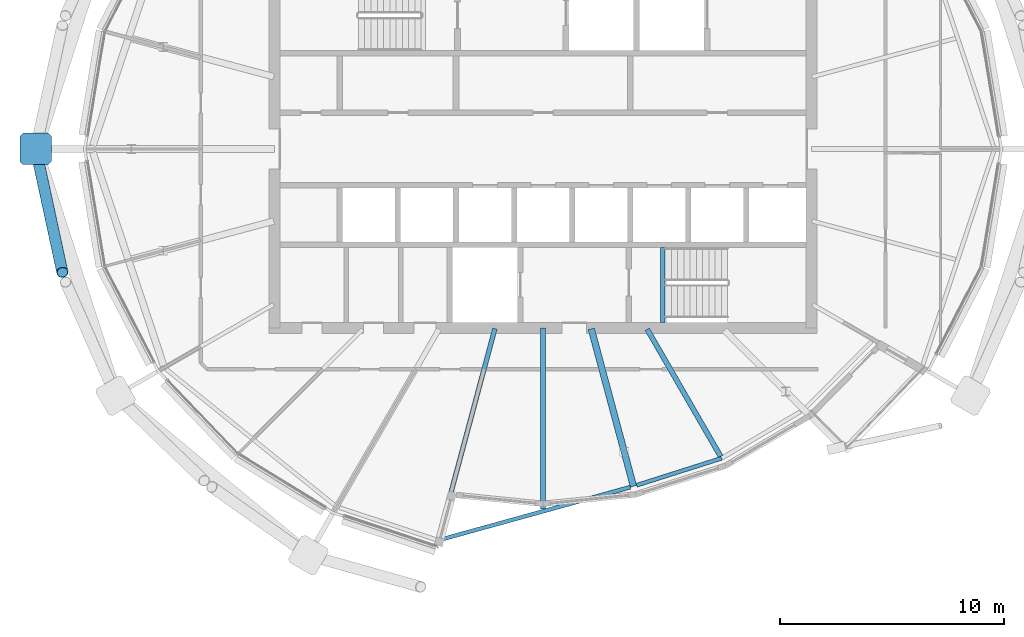
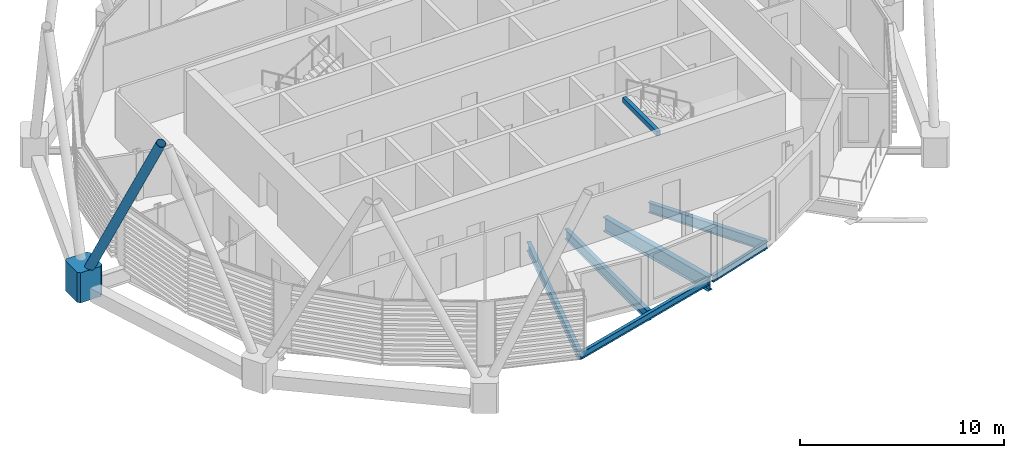
# One storey, part 4 of 32: 7 beams, 2 members.
"""IFC4 building model written with IfcOpenShell, lengths in metres."""

from ifc_helpers import new_model, si_unit, direction, frame, origin, origin_2d, place, context, subcontext, project, spatial, polyline, hollow_rectangle, hollow_circle, i_section, outline, extrude, material, material_profile, profile_set, type_object, element, save


model = new_model("IFC4")

# Units and contexts
model_context = context("Model", 3, precision=1e-05, world=origin(), true_north=direction((0.0, 1.0)))
body_context = subcontext(model_context, "Body", "Model", "MODEL_VIEW")
ifc_project = project(units=[si_unit("LENGTHUNIT", "METRE"), si_unit("AREAUNIT", "SQUARE_METRE"), si_unit("VOLUMEUNIT", "CUBIC_METRE"), si_unit("PLANEANGLEUNIT", "RADIAN"), si_unit("MASSUNIT", "GRAM", prefix="KILO")], contexts=[model_context])

# Site, building, storey
site_placement = place(None, origin())
site = spatial("IfcSite", under=ifc_project, at=site_placement, CompositionType="ELEMENT")
building_placement = place(site_placement, origin())
building = spatial("IfcBuilding", under=site, at=building_placement, Name="Rimbun Link Towers", CompositionType="ELEMENT")
storey_placement = place(building_placement, frame((0.0, 0.0, 233.300048828125)))
storey = spatial("IfcBuildingStorey", under=building, at=storey_placement, Name="L57", CompositionType="ELEMENT", Elevation=233.300048828125)

# Members
ifc_material_1 = material(Name="Steel S355J2H", Category="steel")
ifc_material_profile_1 = material_profile(ifc_material_1, hollow_circle(Radius=0.25390625, WallThickness=0.02001953125, at=origin_2d()), Name="Diagrid diagonal CHS 508x20")
ifc_profile_set_1 = profile_set([ifc_material_profile_1], Name="Steel S355J2H")
member_type_1 = type_object("IfcMemberType", Name="Diagrid diagonal CHS 508x20", PredefinedType="BRACE", material=ifc_profile_set_1)
member_1_placement = place(storey_placement, frame((-54.376708984375, -0.223876953125, 0.4443359375), z_axis=(0.096890857794, -0.447766657538, 0.888885359353), x_axis=(0.977379685069, 0.211492201311, 0.0)))
element("IfcMember", 1, at=member_1_placement, inside=storey, type_object=member_type_1, Name="Diagrid diagonal T1 L57-L60 12b", PredefinedType="BRACE", context=body_context, shape_type="SweptSolid", body=[
    extrude(hollow_circle(Radius=0.25390625, WallThickness=0.02001953125, at=origin_2d()), origin(), (0.0, 0.0, 1.0), 11.8251953125),
])
ifc_material_2 = material(Name="Cast steel G20Mn5+QT, Rp0.2 300 MPa", Category="steel")
ifc_material_profile_2 = material_profile(ifc_material_2, outline(polyline([(0.699951171875, -0.570068359375), (0.699951171875, 0.570068359375), (0.570068359375, 0.699951171875), (-0.570068359375, 0.699951171875), (-0.699951171875, 0.570068359375), (-0.699951171875, -0.570068359375), (-0.570068359375, -0.699951171875), (0.570068359375, -0.699951171875), (0.699951171875, -0.570068359375)])), Name="NODE 1400x1400")
ifc_profile_set_2 = profile_set([ifc_material_profile_2], Name="Cast steel G20Mn5+QT, Rp0.2 300 MPa")
member_type_2 = type_object("IfcMemberType", Name="Diagrid node cast 1400", PredefinedType="USERDEFINED", material=ifc_profile_set_2)
member_2_placement = place(storey_placement, frame((-54.42529296875, 0.0, -0.900146484375), z_axis=(0.0, 0.0, 1.0), x_axis=(-1.0, 0.0, 0.0)))
element("IfcMember", 2, at=member_2_placement, inside=storey, type_object=member_type_2, Name="Diagrid node L57 12", ObjectType="Diagrid node", PredefinedType="USERDEFINED", context=body_context, shape_type="SweptSolid", body=[
    extrude(outline(polyline([(0.699951171875, -0.570068359375), (0.699951171875, 0.570068359375), (0.570068359375, 0.699951171875), (-0.570068359375, 0.699951171875), (-0.699951171875, 0.570068359375), (-0.699951171875, -0.570068359375), (-0.570068359375, -0.699951171875), (0.570068359375, -0.699951171875), (0.699951171875, -0.570068359375)])), origin(), (0.0, 0.0, 1.0), 1.800048828125),
])

# Beams
ifc_material_3 = material(Name="Steel S355J2", Category="steel")
ifc_material_profile_3 = material_profile(ifc_material_3, hollow_rectangle(XDim=0.199951171875, YDim=0.300048828125, WallThickness=0.011962890625, at=origin_2d()), Name="BOX 300x200x12")
ifc_profile_set_3 = profile_set([ifc_material_profile_3], Name="Steel S355J2")
beam_type_1 = type_object("IfcBeamType", Name="Stair trimmer beam BOX 300x200x12", PredefinedType="BEAM", material=ifc_profile_set_3)
beam_1_placement = place(storey_placement, frame((-26.39990234375, -7.75, 3.510009765625), z_axis=(0.0, 1.0, 0.0), x_axis=(-1.0, 0.0, 0.0)))
element("IfcBeam", 3, at=beam_1_placement, inside=storey, type_object=beam_type_1, Name="L57 ST2 stair beam 1", PredefinedType="BEAM", context=body_context, shape_type="SweptSolid", body=[
    extrude(hollow_rectangle(XDim=0.199951171875, YDim=0.300048828125, WallThickness=0.011962890625, at=origin_2d()), origin(), (0.0, 0.0, 1.0), 3.35009765625),
])
ifc_material_4 = material(Name="Steel S355J2", Category="steel")
ifc_material_profile_4 = material_profile(ifc_material_4, i_section(OverallWidth=0.177978515625, OverallDepth=0.406494140625, WebThickness=0.0078125, FlangeThickness=0.0126953125, at=origin_2d()), Name="UB 406x178x60")
ifc_profile_set_4 = profile_set([ifc_material_profile_4], Name="Steel S355J2")
beam_type_2 = type_object("IfcBeamType", Name="UB 406x178x60", PredefinedType="BEAM", material=ifc_profile_set_4)
beam_2_placement = place(storey_placement, frame((-36.43603515625, -17.491455078125, -0.34326171875), z_axis=(0.96378369226, 0.26668519744, 0.0), x_axis=(-0.26668519744, 0.96378369226, 0.0)))
element("IfcBeam", 4, at=beam_2_placement, inside=storey, type_object=beam_type_2, Name="Edge beam T1 L57 17-19", PredefinedType="BEAM", context=body_context, shape_type="SweptSolid", body=[
    extrude(i_section(OverallWidth=0.177978515625, OverallDepth=0.406494140625, WebThickness=0.0078125, FlangeThickness=0.0126953125, at=origin_2d()), origin(), (0.0, 0.0, 1.0), 8.906494140625),
])
beam_3_placement = place(storey_placement, frame((-27.56591796875, -15.031005859375, -0.34326171875), z_axis=(0.95293223585, 0.303183366758, 0.0), x_axis=(-0.303183366758, 0.95293223585, 0.0)))
element("IfcBeam", 5, at=beam_3_placement, inside=storey, type_object=beam_type_2, Name="Edge beam T1 L57 19 recess", PredefinedType="BEAM", context=body_context, shape_type="SweptSolid", body=[
    extrude(i_section(OverallWidth=0.177978515625, OverallDepth=0.406494140625, WebThickness=0.0078125, FlangeThickness=0.0126953125, at=origin_2d()), origin(), (0.0, 0.0, 1.0), 3.97314453125),
])
ifc_material_5 = material(Name="Steel S355J2", Category="steel")
ifc_material_profile_5 = material_profile(ifc_material_5, i_section(OverallWidth=0.209228515625, OverallDepth=0.533203125, WebThickness=0.010009765625, FlangeThickness=0.015625, at=origin_2d()), Name="UB 533x210x92")
ifc_profile_set_5 = profile_set([ifc_material_profile_5], Name="Steel S355J2")
beam_type_3 = type_object("IfcBeamType", Name="UB 533x210x92", PredefinedType="BEAM", material=ifc_profile_set_5)
beam_4_placement = place(storey_placement, frame((-33.901123046875, -8.028076171875, -0.406494140625), z_axis=(-0.258816120567, -0.965926609911, 0.0), x_axis=(0.965926609911, -0.258816120567, 0.0)))
element("IfcBeam", 6, at=beam_4_placement, inside=storey, type_object=beam_type_3, Name="Radial beam T1 L57 17", PredefinedType="BEAM", context=body_context, shape_type="SweptSolid", body=[
    extrude(i_section(OverallWidth=0.209228515625, OverallDepth=0.533203125, WebThickness=0.010009765625, FlangeThickness=0.015625, at=origin_2d()), origin(), (0.0, 0.0, 1.0), 9.70751953125),
])
ifc_material_6 = material(Name="Steel S355J2", Category="steel")
ifc_material_profile_6 = material_profile(ifc_material_6, i_section(OverallWidth=0.2275390625, OverallDepth=0.6025390625, WebThickness=0.010498046875, FlangeThickness=0.014892578125, at=origin_2d()), Name="UB 610x229x101")
ifc_profile_set_6 = profile_set([ifc_material_profile_6], Name="Steel S355J2")
beam_type_4 = type_object("IfcBeamType", Name="UB 610x229x101", PredefinedType="BEAM", material=ifc_profile_set_6)
beam_5_placement = place(storey_placement, frame((-31.75, -8.0009765625, -0.44140625), z_axis=(0.0, -1.0, 0.0), x_axis=(1.0, 0.0, 0.0)))
element("IfcBeam", 7, at=beam_5_placement, inside=storey, type_object=beam_type_4, Name="Radial beam T1 L57 18", PredefinedType="BEAM", context=body_context, shape_type="SweptSolid", body=[
    extrude(i_section(OverallWidth=0.2275390625, OverallDepth=0.6025390625, WebThickness=0.010498046875, FlangeThickness=0.014892578125, at=origin_2d()), origin(), (0.0, 0.0, 1.0), 8.1005859375),
])
beam_6_placement = place(storey_placement, frame((-27.097900390625, -8.057861328125, -0.44140625), z_axis=(0.500005655571, -0.866022138514, 0.0), x_axis=(0.866022138514, 0.500005655571, 0.0)))
element("IfcBeam", 8, at=beam_6_placement, inside=storey, type_object=beam_type_4, Name="Radial beam T1 L57 20", PredefinedType="BEAM", context=body_context, shape_type="SweptSolid", body=[
    extrude(i_section(OverallWidth=0.2275390625, OverallDepth=0.6025390625, WebThickness=0.010498046875, FlangeThickness=0.014892578125, at=origin_2d()), origin(), (0.0, 0.0, 1.0), 6.56689453125),
])
ifc_material_7 = material(Name="Steel S355J2", Category="steel")
ifc_material_profile_7 = material_profile(ifc_material_7, i_section(OverallWidth=0.29248046875, OverallDepth=0.8408203125, WebThickness=0.0126953125, FlangeThickness=0.021728515625, at=origin_2d()), Name="UB 838x292x194")
ifc_profile_set_7 = profile_set([ifc_material_profile_7], Name="Steel S355J2")
beam_type_5 = type_object("IfcBeamType", Name="UB 838x292x194", PredefinedType="BEAM", material=ifc_profile_set_7)
beam_7_placement = place(storey_placement, frame((-29.595947265625, -8.038818359375, -0.560302734375), z_axis=(0.258805311019, -0.965929506221, 0.0), x_axis=(0.965929506221, 0.258805311019, 0.0)))
element("IfcBeam", 9, at=beam_7_placement, inside=storey, type_object=beam_type_5, Name="Radial beam T1 L57 19", PredefinedType="BEAM", context=body_context, shape_type="SweptSolid", body=[
    extrude(i_section(OverallWidth=0.29248046875, OverallDepth=0.8408203125, WebThickness=0.0126953125, FlangeThickness=0.021728515625, at=origin_2d()), origin(), (0.0, 0.0, 1.0), 7.286376953125),
])

save(model, "model.ifc")
